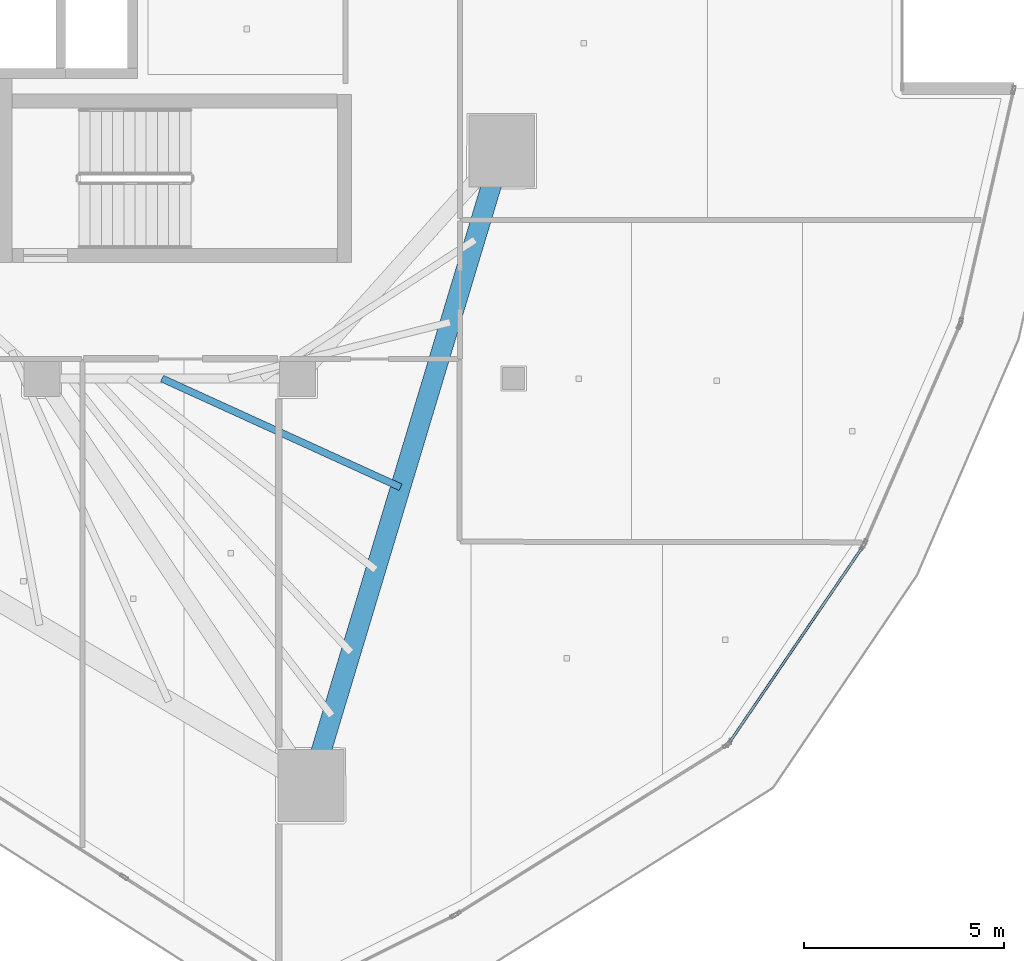
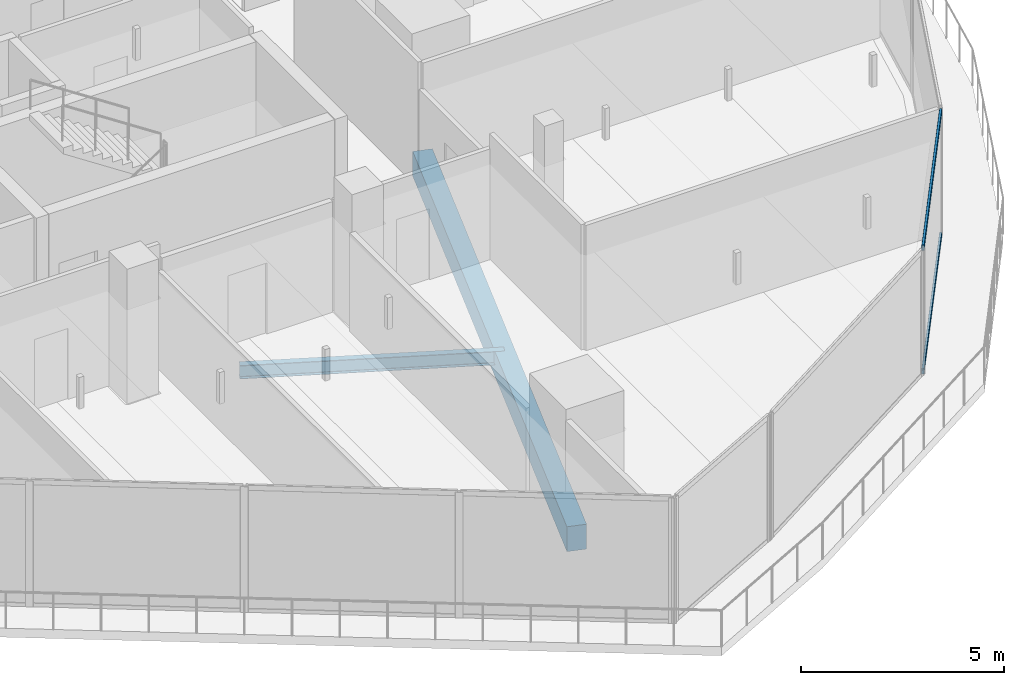
# One storey, part 11 of 36: 2 beams, 2 members, 1 element without a shape of its own.
"""IFC4 building model written with IfcOpenShell, lengths in metres."""

from ifc_helpers import new_model, si_unit, direction, frame, origin, origin_2d, place, context, subcontext, project, spatial, rectangle, hollow_rectangle, i_section, extrude, material, layer, layer_set, material_profile, profile_set, type_object, element, aggregate, save


model = new_model("IFC4")

# Units and contexts
model_context = context("Model", 3, precision=1e-05, world=origin(), true_north=direction((0.0, 1.0)))
body_context = subcontext(model_context, "Body", "Model", "MODEL_VIEW")
ifc_project = project(units=[si_unit("LENGTHUNIT", "METRE"), si_unit("AREAUNIT", "SQUARE_METRE"), si_unit("VOLUMEUNIT", "CUBIC_METRE"), si_unit("PLANEANGLEUNIT", "RADIAN"), si_unit("MASSUNIT", "GRAM", prefix="KILO")], contexts=[model_context])

# Site, building, storey
site_placement = place(None, origin())
site = spatial("IfcSite", under=ifc_project, at=site_placement, CompositionType="ELEMENT")
building_placement = place(site_placement, origin())
building = spatial("IfcBuilding", under=site, at=building_placement, Name="Qorvath Tower", CompositionType="ELEMENT")
storey_placement = place(building_placement, frame((0.0, 0.0, 229.35009765625)))
storey = spatial("IfcBuildingStorey", under=building, at=storey_placement, Name="L53", CompositionType="ELEMENT", Elevation=229.35009765625)

# Beams
ifc_material_1 = material(Name="Steel ASTM A992 Grade 50", Category="steel")
ifc_material_profile_1 = material_profile(ifc_material_1, i_section(OverallWidth=0.177978515625, OverallDepth=0.406005859375, WebThickness=0.0078125, FlangeThickness=0.0126953125, FilletRadius=0.010986328125, at=origin_2d()), Name="W16x40")
ifc_profile_set_1 = profile_set([ifc_material_profile_1], Name="Steel ASTM A992 Grade 50")
beam_type_1 = type_object("IfcBeamType", Name="BM-FJ3", PredefinedType="JOIST", material=ifc_profile_set_1)
beam_1_placement = place(storey_placement, frame((-20.592041015625, -11.449951171875, -0.472900390625), z_axis=(0.909945081179, -0.414728765868, 0.0), x_axis=(0.414728765868, 0.909945081179, 0.0)))
element("IfcBeam", 1, at=beam_1_placement, inside=storey, type_object=beam_type_1, Name="Composite Floor Joist SE4 L53", PredefinedType="JOIST", context=body_context, shape_type="SweptSolid", body=[
    extrude(i_section(OverallWidth=0.177978515625, OverallDepth=0.406005859375, WebThickness=0.0078125, FlangeThickness=0.0126953125, FilletRadius=0.010986328125, at=origin_2d()), origin(), (0.0, 0.0, 1.0), 6.554931640625),
])
ifc_material_2 = material(Name="Concrete C45/55", Category="concrete")
ifc_material_profile_2 = material_profile(ifc_material_2, rectangle(XDim=0.5, YDim=0.75, at=origin_2d()), Name="RCB 750x500")
ifc_profile_set_2 = profile_set([ifc_material_profile_2], Name="Concrete C45/55")
beam_type_2 = type_object("IfcBeamType", Name="BM-RCB3", PredefinedType="SPANDREL", material=ifc_profile_set_2)
beam_2_placement = place(storey_placement, frame((-16.87158203125, -21.627197265625, -0.64501953125), z_axis=(0.28812763802, 0.957592013443, 0.0), x_axis=(-0.957592013443, 0.28812763802, 0.0)))
element("IfcBeam", 2, at=beam_2_placement, inside=storey, type_object=beam_type_2, Name="Perimeter Loggia Frame Beam MC3-MC4 L53", PredefinedType="SPANDREL", context=body_context, shape_type="SweptSolid", body=[
    extrude(rectangle(XDim=0.5, YDim=0.75, at=origin_2d()), origin(), (0.0, 0.0, 1.0), 16.572265625),
])

# Curtain wall, members
ifc_material_3 = material(Name="Anodised aluminium and triple low-E glass", Category="aluminium")
ifc_layer = layer(ifc_material_3, 0.179931640625)
ifc_layer_set = layer_set([ifc_layer], Name="CW-SYS-5")
curtain_wall_type = type_object("IfcCurtainWallType", Name="CW-SYS-5", PredefinedType="NOTDEFINED", material=ifc_layer_set)
curtain_wall_placement = place(storey_placement, origin())
curtain_wall = element("IfcCurtainWall", 3, at=curtain_wall_placement, inside=storey, type_object=curtain_wall_type, Name="Curtain Wall CW-5 CW-T-L53-7.1", PredefinedType="NOTDEFINED")
ifc_material_4 = material(Name="Anodised aluminium 6063-T6", Category="aluminium")
ifc_material_profile_3 = material_profile(ifc_material_4, hollow_rectangle(XDim=0.06494140625, YDim=0.159912109375, WallThickness=0.00341796875, InnerFilletRadius=0.00341796875, OuterFilletRadius=0.007080078125, at=origin_2d()), Name="CWT 160x65")
ifc_profile_set_3 = profile_set([ifc_material_profile_3], Name="Anodised aluminium 6063-T6")
member_type = type_object("IfcMemberType", Name="CWT-160", PredefinedType="USERDEFINED", material=ifc_profile_set_3)
member_1_placement = place(storey_placement, frame((-6.389892578125, -20.532958984375, 0.032470703125), z_axis=(0.562956878655, 0.826486268958, 0.0), x_axis=(-0.826486268958, 0.562956878655, 0.0)))
member_1 = element("IfcMember", 4, at=member_1_placement, type_object=member_type, Name="CW-5 transom 1.1", ObjectType="TRANSOM", PredefinedType="USERDEFINED", context=body_context, shape_type="SweptSolid", body=[
    extrude(hollow_rectangle(XDim=0.06494140625, YDim=0.159912109375, WallThickness=0.00341796875, InnerFilletRadius=0.00341796875, OuterFilletRadius=0.007080078125, at=origin_2d()), origin(), (0.0, 0.0, 1.0), 5.8828125),
])
member_2_placement = place(storey_placement, frame((-6.389892578125, -20.532958984375, 3.747314453125), z_axis=(0.562956878655, 0.826486268958, 0.0), x_axis=(-0.826486268958, 0.562956878655, 0.0)))
member_2 = element("IfcMember", 5, at=member_2_placement, type_object=member_type, Name="CW-5 transom 1.2", ObjectType="TRANSOM", PredefinedType="USERDEFINED", context=body_context, shape_type="SweptSolid", body=[
    extrude(hollow_rectangle(XDim=0.06494140625, YDim=0.159912109375, WallThickness=0.00341796875, InnerFilletRadius=0.00341796875, OuterFilletRadius=0.007080078125, at=origin_2d()), origin(), (0.0, 0.0, 1.0), 5.8828125),
])
aggregate(curtain_wall, [member_1, member_2])

save(model, "model.ifc")
